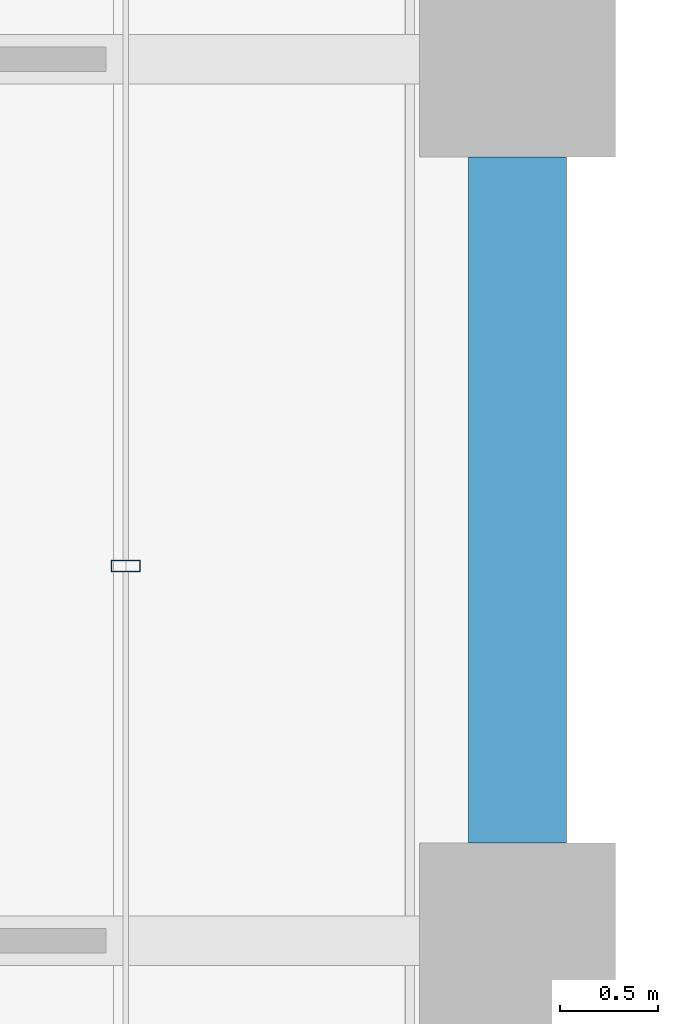
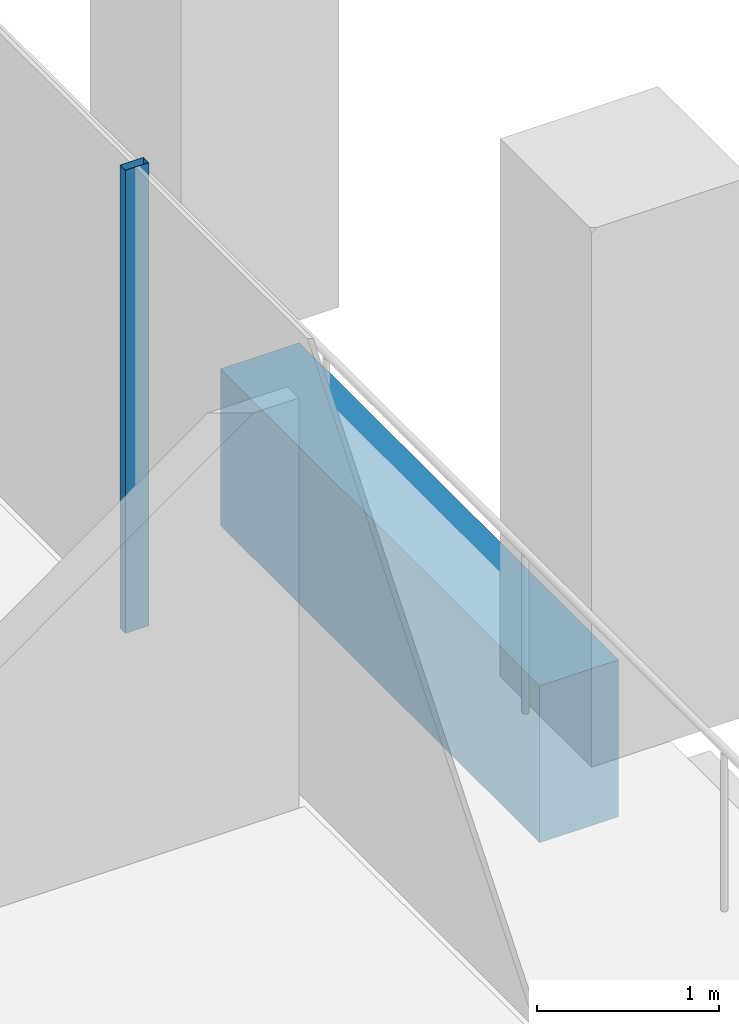
# One storey, part 17 of 47: 1 beam, 1 member, 1 element without a shape of its own.
"""IFC4 building model written with IfcOpenShell, lengths in metres."""

from ifc_helpers import new_model, si_unit, direction, frame, origin, origin_2d, place, context, subcontext, project, spatial, rectangle, hollow_rectangle, extrude, material, material_profile, profile_set, type_object, element, aggregate, save


model = new_model("IFC4")

# Units and contexts
model_context = context("Model", 3, precision=1e-05, world=origin(), true_north=direction((0.0, 1.0)))
body_context = subcontext(model_context, "Body", "Model", "MODEL_VIEW")
ifc_project = project(units=[si_unit("LENGTHUNIT", "METRE"), si_unit("AREAUNIT", "SQUARE_METRE"), si_unit("VOLUMEUNIT", "CUBIC_METRE"), si_unit("PLANEANGLEUNIT", "RADIAN"), si_unit("MASSUNIT", "GRAM", prefix="KILO")], contexts=[model_context])

# Site, building, storey
site_placement = place(None, origin())
site = spatial("IfcSite", under=ifc_project, at=site_placement, CompositionType="ELEMENT")
building_placement = place(site_placement, origin())
building = spatial("IfcBuilding", under=site, at=building_placement, Name="Altepetl Exchange Towers", CompositionType="ELEMENT")
storey_placement = place(building_placement, frame((0.0, 0.0, 99.199951171875)))
storey = spatial("IfcBuildingStorey", under=building, at=storey_placement, Name="L24", CompositionType="ELEMENT", Elevation=99.199951171875)

# Curtain wall, member
ifc_material_1 = material(Name="Aluminium 6063-T6 glazing", Category="aluminium")
curtain_wall_type = type_object("IfcCurtainWallType", Name="Loggia glazing system", PredefinedType="NOTDEFINED", material=ifc_material_1)
curtain_wall_placement = place(storey_placement, origin())
curtain_wall = element("IfcCurtainWall", 1, at=curtain_wall_placement, inside=storey, type_object=curtain_wall_type, Name="CW1 run", PredefinedType="NOTDEFINED")
ifc_material_2 = material(Name="Aluminium 6063-T6", Category="aluminium")
ifc_material_profile_1 = material_profile(ifc_material_2, hollow_rectangle(XDim=0.06005859375, YDim=0.14990234375, WallThickness=0.0029296875, at=origin_2d()), Name="Mullion 60x150 aluminium")
ifc_profile_set_1 = profile_set([ifc_material_profile_1], Name="Aluminium 6063-T6")
member_type = type_object("IfcMemberType", Name="Mullion 60x150 aluminium", PredefinedType="MULLION", material=ifc_profile_set_1)
member_placement = place(storey_placement, frame((70.0, 46.9130859375, 0.0), z_axis=(0.0, 0.0, 1.0), x_axis=(0.0, 1.0, 0.0)))
member = element("IfcMember", 2, at=member_placement, type_object=member_type, Name="MU1 mullion", PredefinedType="MULLION", context=body_context, shape_type="SweptSolid", body=[
    extrude(hollow_rectangle(XDim=0.06005859375, YDim=0.14990234375, WallThickness=0.0029296875, at=origin_2d()), origin(), (0.0, 0.0, 1.0), 3.10009765625),
])
aggregate(curtain_wall, [member])

# Beam
ifc_material_3 = material(Name="Concrete C50/60 precast with cantera amarilla facing", Category="concrete")
ifc_material_profile_2 = material_profile(ifc_material_3, rectangle(XDim=0.5, YDim=1.050048828125, at=origin_2d()), Name="500 x 1050")
ifc_profile_set_2 = profile_set([ifc_material_profile_2], Name="Concrete C50/60 precast with cantera amarilla facing")
beam_type = type_object("IfcBeamType", Name="Spandrel beam 500x1050 cantera amarilla", PredefinedType="SPANDREL", material=ifc_profile_set_2)
beam_placement = place(storey_placement, frame((72.0, 45.5, -0.675048828125), z_axis=(0.0, 1.0, 0.0), x_axis=(-1.0, 0.0, 0.0)))
element("IfcBeam", 3, at=beam_placement, inside=storey, type_object=beam_type, Name="sp:A:L24:015", PredefinedType="SPANDREL", context=body_context, shape_type="SweptSolid", body=[
    extrude(rectangle(XDim=0.5, YDim=1.050048828125, at=origin_2d()), origin(), (0.0, 0.0, 1.0), 3.5),
])

save(model, "model.ifc")
